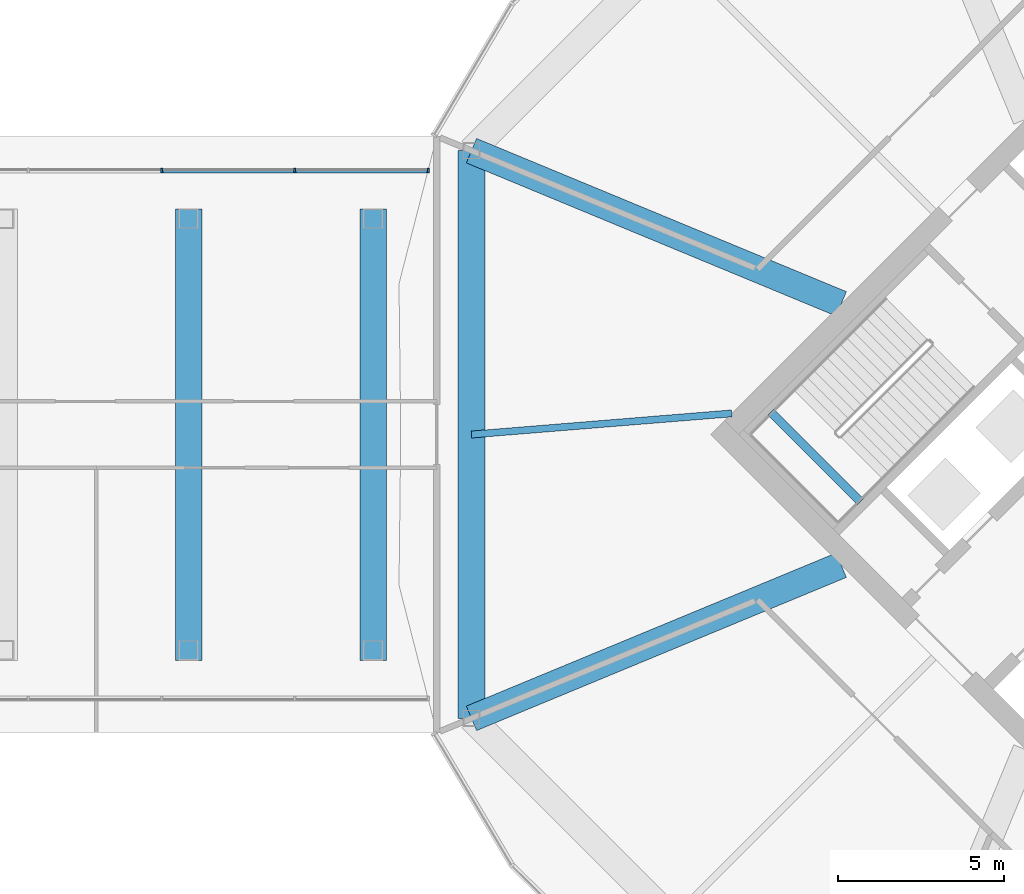
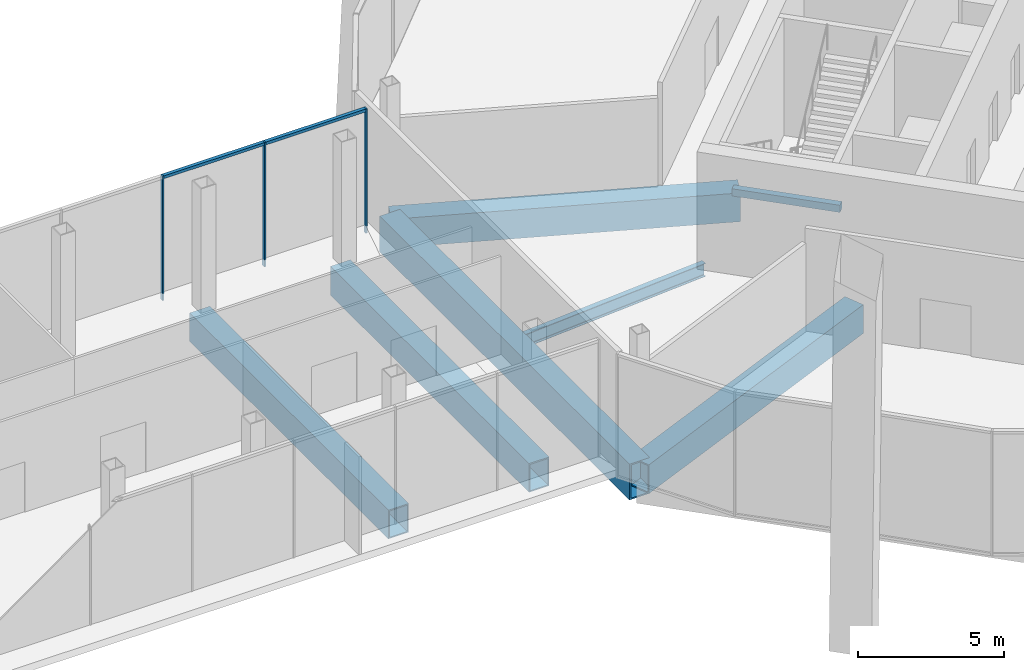
# One storey, part 13 of 28: 7 beams, 5 members, 1 element without a shape of its own.
"""IFC4 building model written with IfcOpenShell, lengths in metres."""

from ifc_helpers import new_model, si_unit, direction, frame, origin, origin_2d, place, context, subcontext, project, spatial, rectangle, hollow_rectangle, i_section, extrude, material, material_profile, profile_set, type_object, element, aggregate, save


model = new_model("IFC4")

# Units and contexts
model_context = context("Model", 3, precision=1e-05, world=origin(), true_north=direction((0.0, 1.0)))
body_context = subcontext(model_context, "Body", "Model", "MODEL_VIEW")
ifc_project = project(units=[si_unit("LENGTHUNIT", "METRE"), si_unit("AREAUNIT", "SQUARE_METRE"), si_unit("VOLUMEUNIT", "CUBIC_METRE"), si_unit("PLANEANGLEUNIT", "RADIAN"), si_unit("MASSUNIT", "GRAM", prefix="KILO")], contexts=[model_context])

# Site, building, storey
site_placement = place(None, origin())
site = spatial("IfcSite", under=ifc_project, at=site_placement, CompositionType="ELEMENT")
building_placement = place(site_placement, origin())
building = spatial("IfcBuilding", under=site, at=building_placement, Name="Ogive Gate Towers", CompositionType="ELEMENT")
storey_placement = place(building_placement, frame((0.0, 0.0, 135.60009765625)))
storey = spatial("IfcBuildingStorey", under=building, at=storey_placement, Name="L32", CompositionType="ELEMENT", Elevation=135.60009765625)

# Beams
ifc_material_1 = material(Name="Steel SM460", Category="steel")
ifc_material_profile_1 = material_profile(ifc_material_1, hollow_rectangle(XDim=0.800048828125, YDim=1.199951171875, WallThickness=0.050048828125, at=origin_2d()), Name="BX 1200x800x50")
ifc_profile_set_1 = profile_set([ifc_material_profile_1], Name="Steel SM460")
beam_type_1 = type_object("IfcBeamType", Name="Block transfer beam BX 1200x800x50", PredefinedType="BEAM", material=ifc_profile_set_1)
for number, where, z_axis, x_axis, name in (
    (1, (6.8388671875, -6.800048828125, -0.900146484375), (0.0, 1.0, 0.0), (-1.0, 0.0, 0.0), "BR/L32/SBM004"),
    (2, (12.3955078125, -6.800048828125, -0.900146484375), (0.0, 1.0, 0.0), (-1.0, 0.0, 0.0), "BR/L32/SBM005"),
):
    element("IfcBeam", number, at=place(storey_placement, frame(where, z_axis=z_axis, x_axis=x_axis)), inside=storey, type_object=beam_type_1, Name=name, PredefinedType="BEAM", context=body_context, shape_type="SweptSolid", body=[
        extrude(hollow_rectangle(XDim=0.800048828125, YDim=1.199951171875, WallThickness=0.050048828125, at=origin_2d()), origin(), (0.0, 0.0, 1.0), 13.60009765625),
    ])
ifc_material_profile_2 = material_profile(ifc_material_1, hollow_rectangle(XDim=0.800048828125, YDim=1.5, WallThickness=0.06005859375, at=origin_2d()), Name="BX 1500x800x60")
ifc_profile_set_2 = profile_set([ifc_material_profile_2], Name="Steel SM460")
beam_type_2 = type_object("IfcBeamType", Name="Edge girder BX 1500x800x60", PredefinedType="BEAM", material=ifc_profile_set_2)
beam_1_placement = place(storey_placement, frame((15.360595703125, 8.549072265625, -1.050048828125), z_axis=(0.0, -1.0, 0.0), x_axis=(1.0, 0.0, 0.0)))
element("IfcBeam", 3, at=beam_1_placement, inside=storey, type_object=beam_type_2, Name="T2/L32/SBM024", PredefinedType="BEAM", context=body_context, shape_type="SweptSolid", body=[
    extrude(hollow_rectangle(XDim=0.800048828125, YDim=1.5, WallThickness=0.06005859375, at=origin_2d()), origin(), (0.0, 0.0, 1.0), 17.09814453125),
])

# Curtain wall, members
ifc_material_2 = material(Name="Pale metal aluminium", Category="aluminium")
curtain_wall_type = type_object("IfcCurtainWallType", Name="Gate block facade", PredefinedType="NOTDEFINED", material=ifc_material_2)
curtain_wall_placement = place(storey_placement, origin())
curtain_wall = element("IfcCurtainWall", 4, at=curtain_wall_placement, inside=storey, type_object=curtain_wall_type, Name="CW3 BR ECW02", PredefinedType="NOTDEFINED")
ifc_material_profile_3 = material_profile(ifc_material_2, rectangle(XDim=0.139892578125, YDim=0.06005859375, at=origin_2d()), Name="60 x 140 aluminium box")
ifc_profile_set_3 = profile_set([ifc_material_profile_3], Name="Pale metal aluminium")
member_type_1 = type_object("IfcMemberType", Name="Gate block facade mullion 60 x 140", PredefinedType="MULLION", material=ifc_profile_set_3)
member_1_placement = place(storey_placement, frame((14.06005859375, 7.95166015625, -0.300048828125), z_axis=(0.0, 0.0, 1.0), x_axis=(0.0, 1.0, 0.0)))
member_1 = element("IfcMember", 5, at=member_1_placement, type_object=member_type_1, Name="CW3 mullion", PredefinedType="MULLION", context=body_context, shape_type="SweptSolid", body=[
    extrude(rectangle(XDim=0.139892578125, YDim=0.06005859375, at=origin_2d()), origin(), (0.0, 0.0, 1.0), 5.199951171875),
])
member_2_placement = place(storey_placement, frame((10.04296875, 7.95166015625, -0.300048828125), z_axis=(0.0, 0.0, 1.0), x_axis=(0.0, 1.0, 0.0)))
member_2 = element("IfcMember", 6, at=member_2_placement, type_object=member_type_1, Name="CW3 mullion", PredefinedType="MULLION", context=body_context, shape_type="SweptSolid", body=[
    extrude(rectangle(XDim=0.139892578125, YDim=0.06005859375, at=origin_2d()), origin(), (0.0, 0.0, 1.0), 5.199951171875),
])
member_3_placement = place(storey_placement, frame((6.025634765625, 7.95166015625, -0.300048828125), z_axis=(0.0, 0.0, 1.0), x_axis=(0.0, 1.0, 0.0)))
member_3 = element("IfcMember", 7, at=member_3_placement, type_object=member_type_1, Name="CW3 mullion", PredefinedType="MULLION", context=body_context, shape_type="SweptSolid", body=[
    extrude(rectangle(XDim=0.139892578125, YDim=0.06005859375, at=origin_2d()), origin(), (0.0, 0.0, 1.0), 5.199951171875),
])
ifc_material_profile_4 = material_profile(ifc_material_2, rectangle(XDim=0.139892578125, YDim=0.1201171875, at=origin_2d()), Name="120 x 140 aluminium box")
ifc_profile_set_4 = profile_set([ifc_material_profile_4], Name="Pale metal aluminium")
member_type_2 = type_object("IfcMemberType", Name="Gate block facade transom 120 x 140", PredefinedType="USERDEFINED", material=ifc_profile_set_4)
member_4_placement = place(storey_placement, frame((14.030029296875, 7.95166015625, 4.83984375), z_axis=(-1.0, 0.0, 0.0), x_axis=(0.0, -1.0, 0.0)))
member_4 = element("IfcMember", 8, at=member_4_placement, type_object=member_type_2, Name="CW3 transom", ObjectType="TRANSOM", PredefinedType="USERDEFINED", context=body_context, shape_type="SweptSolid", body=[
    extrude(rectangle(XDim=0.139892578125, YDim=0.1201171875, at=origin_2d()), origin(), (0.0, 0.0, 1.0), 3.95703125),
])
member_5_placement = place(storey_placement, frame((10.012939453125, 7.95166015625, 4.83984375), z_axis=(-1.0, 0.0, 0.0), x_axis=(0.0, -1.0, 0.0)))
member_5 = element("IfcMember", 9, at=member_5_placement, type_object=member_type_2, Name="CW3 transom", ObjectType="TRANSOM", PredefinedType="USERDEFINED", context=body_context, shape_type="SweptSolid", body=[
    extrude(rectangle(XDim=0.139892578125, YDim=0.1201171875, at=origin_2d()), origin(), (0.0, 0.0, 1.0), 3.957275390625),
])
aggregate(curtain_wall, [member_1, member_2, member_4, member_3, member_5])

# Beams
ifc_material_3 = material(Name="Concrete C40/50", Category="concrete")
ifc_material_profile_5 = material_profile(ifc_material_3, rectangle(XDim=0.25, YDim=0.300048828125, at=origin_2d()), Name="RC 250x300")
ifc_profile_set_5 = profile_set([ifc_material_profile_5], Name="Concrete C40/50")
beam_type_3 = type_object("IfcBeamType", Name="Landing bearer RC 250x300", PredefinedType="BEAM", material=ifc_profile_set_5)
beam_2_placement = place(storey_placement, frame((24.373291015625, 0.677001953125, 2.25), z_axis=(0.707138693938, -0.707074866995, 0.0), x_axis=(0.707074866995, 0.707138693938, 0.0)))
element("IfcBeam", 10, at=beam_2_placement, inside=storey, type_object=beam_type_3, Name="T2 L32 stair 1 landing bearer 1", PredefinedType="BEAM", context=body_context, shape_type="SweptSolid", body=[
    extrude(rectangle(XDim=0.25, YDim=0.300048828125, at=origin_2d()), origin(), (0.0, 0.0, 1.0), 3.824951171875),
])
ifc_material_4 = material(Name="Steel SM355", Category="steel")
ifc_material_profile_6 = material_profile(ifc_material_4, i_section(OverallWidth=0.2099609375, OverallDepth=0.550048828125, WebThickness=0.010986328125, FlangeThickness=0.01708984375, FilletRadius=0.02392578125, at=origin_2d()), Name="IPE 550")
ifc_profile_set_6 = profile_set([ifc_material_profile_6], Name="Steel SM355")
beam_type_4 = type_object("IfcBeamType", Name="Radial floor beam IPE 550", PredefinedType="BEAM", material=ifc_profile_set_6)
beam_3_placement = place(storey_placement, frame((23.201416015625, 0.636474609375, -0.5751953125), z_axis=(-0.996721544062, -0.080908365468, 0.0), x_axis=(0.080908365468, -0.996721544062, 0.0)))
element("IfcBeam", 11, at=beam_3_placement, inside=storey, type_object=beam_type_4, Name="T2/L32/SBM016", PredefinedType="BEAM", context=body_context, shape_type="SweptSolid", body=[
    extrude(i_section(OverallWidth=0.2099609375, OverallDepth=0.550048828125, WebThickness=0.010986328125, FlangeThickness=0.01708984375, FilletRadius=0.02392578125, at=origin_2d()), origin(), (0.0, 0.0, 1.0), 7.86669921875),
])
ifc_material_profile_7 = material_profile(ifc_material_1, hollow_rectangle(XDim=0.800048828125, YDim=1.199951171875, WallThickness=0.050048828125, at=origin_2d()), Name="BX 1200x800x50")
ifc_profile_set_7 = profile_set([ifc_material_profile_7], Name="Steel SM460")
beam_type_5 = type_object("IfcBeamType", Name="Transfer radial beam BX 1200x800x50", PredefinedType="BEAM", material=ifc_profile_set_7)
for number, where, z_axis, x_axis, name in (
    (12, (26.5, -3.93505859375, -0.900146484375), (-0.923881839184, -0.382677863518, 0.0), (0.382677863518, -0.923881839184, 0.0), "T2/L32/SBM001"),
    (13, (26.5, 3.93505859375, -0.900146484375), (-0.923881839184, 0.382677863518, 0.0), (-0.382677863518, -0.923881839184, 0.0), "T2/L32/SBM015"),
):
    element("IfcBeam", number, at=place(storey_placement, frame(where, z_axis=z_axis, x_axis=x_axis)), inside=storey, type_object=beam_type_5, Name=name, PredefinedType="BEAM", context=body_context, shape_type="SweptSolid", body=[
        extrude(hollow_rectangle(XDim=0.800048828125, YDim=1.199951171875, WallThickness=0.050048828125, at=origin_2d()), origin(), (0.0, 0.0, 1.0), 12.05712890625),
    ])

save(model, "model.ifc")
